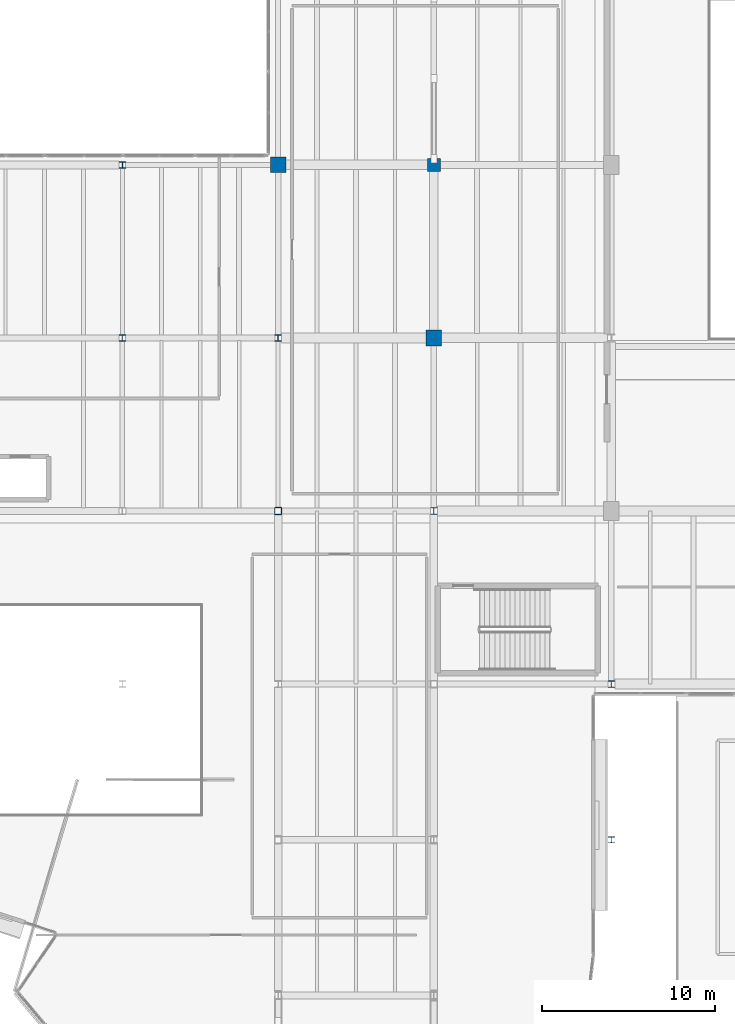
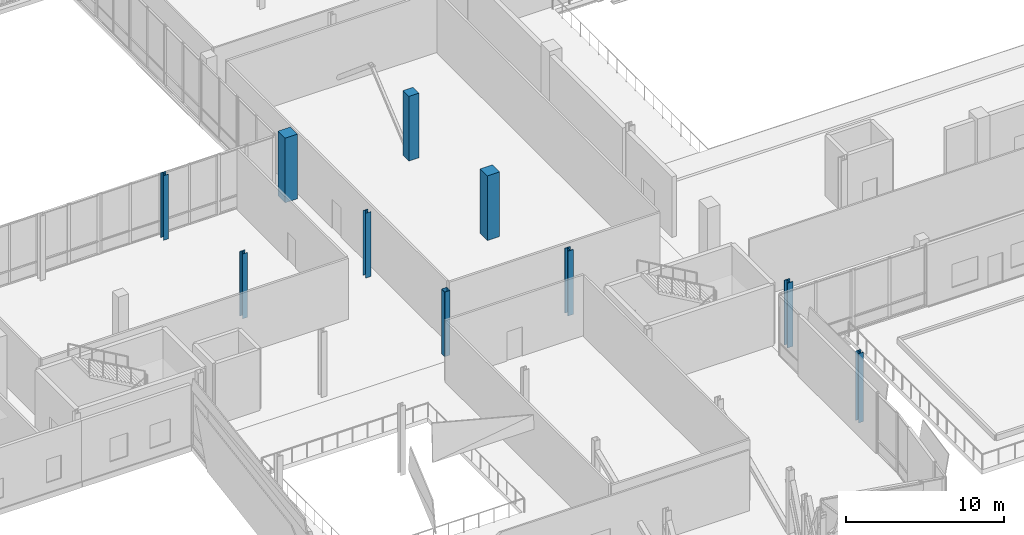
# One storey, part 3 of 60: 10 columns.
"""IFC4 building model written with IfcOpenShell, lengths in metres."""

from ifc_helpers import new_model, si_unit, direction, frame, origin, origin_2d, place, context, subcontext, project, spatial, rectangle, hollow_rectangle, i_section, extrude, material, material_profile, profile_set, type_object, element, save


model = new_model("IFC4")

# Units and contexts
model_context = context("Model", 3, precision=1e-05, world=origin(), true_north=direction((0.0, 1.0)))
body_context = subcontext(model_context, "Body", "Model", "MODEL_VIEW")
ifc_project = project(units=[si_unit("LENGTHUNIT", "METRE"), si_unit("AREAUNIT", "SQUARE_METRE"), si_unit("VOLUMEUNIT", "CUBIC_METRE"), si_unit("PLANEANGLEUNIT", "RADIAN"), si_unit("MASSUNIT", "GRAM", prefix="KILO")], contexts=[model_context])

# Site, building, storey
site_placement = place(None, origin())
site = spatial("IfcSite", under=ifc_project, at=site_placement, CompositionType="ELEMENT")
building_placement = place(site_placement, origin())
building = spatial("IfcBuilding", under=site, at=building_placement, Name="Trimount Lyric Opera House", CompositionType="ELEMENT")
storey_placement = place(building_placement, frame((0.0, 0.0, 15.0)))
storey = spatial("IfcBuildingStorey", under=building, at=storey_placement, Name="L03", CompositionType="ELEMENT", Elevation=15.0)

# Columns
ifc_material_1 = material(Name="Steel ASTM A992 Grade 50", Category="steel")
ifc_material_profile_1 = material_profile(ifc_material_1, i_section(OverallWidth=0.406005859375, OverallDepth=0.4169921875, WebThickness=0.02978515625, FlangeThickness=0.048095703125, FilletRadius=0.01806640625, at=origin_2d()), Name="W14X257")
ifc_profile_set_1 = profile_set([ifc_material_profile_1], Name="Steel ASTM A992 Grade 50")
column_type_1 = type_object("IfcColumnType", Name="C-02", PredefinedType="COLUMN", material=ifc_profile_set_1)
for number, where, z_axis, x_axis, name in (
    (1, (54.0, 54.0, 0.0), (0.0, 0.0, 1.0), (1.0, 0.0, 0.0), "L03 column 7/G"),
    (2, (64.260009765625, 44.0, 0.0), (0.0, 0.0, 1.0), (1.0, 0.0, 0.0), "L03 column 8/F"),
):
    element("IfcColumn", number, at=place(storey_placement, frame(where, z_axis=z_axis, x_axis=x_axis)), inside=storey, type_object=column_type_1, Name=name, PredefinedType="COLUMN", context=body_context, shape_type="SweptSolid", body=[
        extrude(i_section(OverallWidth=0.406005859375, OverallDepth=0.4169921875, WebThickness=0.02978515625, FlangeThickness=0.048095703125, FilletRadius=0.01806640625, at=origin_2d()), origin(), (0.0, 0.0, 1.0), 5.0),
    ])
ifc_material_2 = material(Name="Steel ASTM A992 Grade 50", Category="steel")
ifc_material_profile_2 = material_profile(ifc_material_2, i_section(OverallWidth=0.373046875, OverallDepth=0.367919921875, WebThickness=0.014892578125, FlangeThickness=0.02392578125, FilletRadius=0.014892578125, at=origin_2d()), Name="W14X120")
ifc_profile_set_2 = profile_set([ifc_material_profile_2], Name="Steel ASTM A992 Grade 50")
column_type_2 = type_object("IfcColumnType", Name="C-04", PredefinedType="COLUMN", material=ifc_profile_set_2)
for number, where, z_axis, x_axis, name in (
    (3, (36.0, 74.0, 0.0), (0.0, 0.0, 1.0), (1.0, 0.0, 0.0), "L03 column 5/J"),
    (4, (45.0, 64.0, 0.0), (0.0, 0.0, 1.0), (1.0, 0.0, 0.0), "L03 column 6/H"),
):
    element("IfcColumn", number, at=place(storey_placement, frame(where, z_axis=z_axis, x_axis=x_axis)), inside=storey, type_object=column_type_2, Name=name, PredefinedType="COLUMN", context=body_context, shape_type="SweptSolid", body=[
        extrude(i_section(OverallWidth=0.373046875, OverallDepth=0.367919921875, WebThickness=0.014892578125, FlangeThickness=0.02392578125, FilletRadius=0.014892578125, at=origin_2d()), origin(), (0.0, 0.0, 1.0), 5.0),
    ])
ifc_material_3 = material(Name="Steel ASTM A992 Grade 50", Category="steel")
ifc_material_profile_3 = material_profile(ifc_material_3, i_section(OverallWidth=0.367919921875, OverallDepth=0.35595703125, WebThickness=0.01123046875, FlangeThickness=0.01806640625, FilletRadius=0.014892578125, at=origin_2d()), Name="W14X90")
ifc_profile_set_3 = profile_set([ifc_material_profile_3], Name="Steel ASTM A992 Grade 50")
column_type_3 = type_object("IfcColumnType", Name="C-05", PredefinedType="COLUMN", material=ifc_profile_set_3)
column_1_placement = place(storey_placement, frame((64.260009765625, 35.0, -0.360107421875), z_axis=(0.0, 0.0, 1.0), x_axis=(1.0, 0.0, 0.0)))
element("IfcColumn", 5, at=column_1_placement, inside=storey, type_object=column_type_3, Name="L03 crystal roof column 64/35", PredefinedType="COLUMN", context=body_context, shape_type="SweptSolid", body=[
    extrude(i_section(OverallWidth=0.367919921875, OverallDepth=0.35595703125, WebThickness=0.01123046875, FlangeThickness=0.01806640625, FilletRadius=0.014892578125, at=origin_2d()), origin(), (0.0, 0.0, 1.0), 5.360107421875),
])
ifc_material_4 = material(Name="Steel ASTM A500 Grade C", Category="steel")
ifc_material_profile_4 = material_profile(ifc_material_4, hollow_rectangle(XDim=0.406494140625, YDim=0.406494140625, WallThickness=0.014892578125, InnerFilletRadius=0.01513671875, OuterFilletRadius=0.030029296875, at=origin_2d()), Name="HSS406.4X406.4X15.9")
ifc_profile_set_4 = profile_set([ifc_material_profile_4], Name="Steel ASTM A500 Grade C")
column_type_4 = type_object("IfcColumnType", Name="C-07", PredefinedType="COLUMN", material=ifc_profile_set_4)
column_2_placement = place(storey_placement, frame((45.0, 54.0, 0.0), z_axis=(0.0, 0.0, 1.0), x_axis=(1.0, 0.0, 0.0)))
element("IfcColumn", 6, at=column_2_placement, inside=storey, type_object=column_type_4, Name="L03 column 6/G", PredefinedType="COLUMN", context=body_context, shape_type="SweptSolid", body=[
    extrude(hollow_rectangle(XDim=0.406494140625, YDim=0.406494140625, WallThickness=0.014892578125, InnerFilletRadius=0.01513671875, OuterFilletRadius=0.030029296875, at=origin_2d()), origin(), (0.0, 0.0, 1.0), 5.0),
])
ifc_material_5 = material(Name="Steel ASTM A992 Grade 50", Category="steel")
ifc_material_profile_5 = material_profile(ifc_material_5, i_section(OverallWidth=0.367919921875, OverallDepth=0.35595703125, WebThickness=0.01123046875, FlangeThickness=0.01806640625, FilletRadius=0.014892578125, at=origin_2d()), Name="W14X90")
ifc_profile_set_5 = profile_set([ifc_material_profile_5], Name="Steel ASTM A992 Grade 50")
column_type_5 = type_object("IfcColumnType", Name="C-09", PredefinedType="COLUMN", material=ifc_profile_set_5)
column_3_placement = place(storey_placement, frame((36.0, 64.0, 0.0), z_axis=(0.0, 0.0, 1.0), x_axis=(1.0, 0.0, 0.0)))
element("IfcColumn", 7, at=column_3_placement, inside=storey, type_object=column_type_5, Name="L03 column 5/H", PredefinedType="COLUMN", context=body_context, shape_type="SweptSolid", body=[
    extrude(i_section(OverallWidth=0.367919921875, OverallDepth=0.35595703125, WebThickness=0.01123046875, FlangeThickness=0.01806640625, FilletRadius=0.014892578125, at=origin_2d()), origin(), (0.0, 0.0, 1.0), 5.0),
])
ifc_material_6 = material(Name="Concrete C50/60", Category="concrete")
ifc_material_profile_6 = material_profile(ifc_material_6, rectangle(XDim=0.89990234375, YDim=0.89990234375, at=origin_2d()), Name="RC900X900")
ifc_profile_set_6 = profile_set([ifc_material_profile_6], Name="Concrete C50/60")
column_type_6 = type_object("IfcColumnType", Name="C-13", PredefinedType="COLUMN", material=ifc_profile_set_6)
for number, where, z_axis, x_axis, name in (
    (8, (45.0, 74.0, 0.0), (0.0, 0.0, 1.0), (1.0, 0.0, 0.0), "L03 column 6/J"),
    (9, (54.0, 64.0, 0.0), (0.0, 0.0, 1.0), (1.0, 0.0, 0.0), "L03 column 7/H"),
):
    element("IfcColumn", number, at=place(storey_placement, frame(where, z_axis=z_axis, x_axis=x_axis)), inside=storey, type_object=column_type_6, Name=name, PredefinedType="COLUMN", context=body_context, shape_type="SweptSolid", body=[
        extrude(rectangle(XDim=0.89990234375, YDim=0.89990234375, at=origin_2d()), origin(), (0.0, 0.0, 1.0), 5.0),
    ])
ifc_material_7 = material(Name="Concrete C40/50", Category="concrete")
ifc_material_profile_7 = material_profile(ifc_material_7, rectangle(XDim=0.75, YDim=0.75, at=origin_2d()), Name="RC750X750")
ifc_profile_set_7 = profile_set([ifc_material_profile_7], Name="Concrete C40/50")
column_type_7 = type_object("IfcColumnType", Name="C-15", PredefinedType="COLUMN", material=ifc_profile_set_7)
column_4_placement = place(storey_placement, frame((54.0, 74.0, 0.0), z_axis=(0.0, 0.0, 1.0), x_axis=(1.0, 0.0, 0.0)))
element("IfcColumn", 10, at=column_4_placement, inside=storey, type_object=column_type_7, Name="L03 column 7/J", PredefinedType="COLUMN", context=body_context, shape_type="SweptSolid", body=[
    extrude(rectangle(XDim=0.75, YDim=0.75, at=origin_2d()), origin(), (0.0, 0.0, 1.0), 5.0),
])

save(model, "model.ifc")
